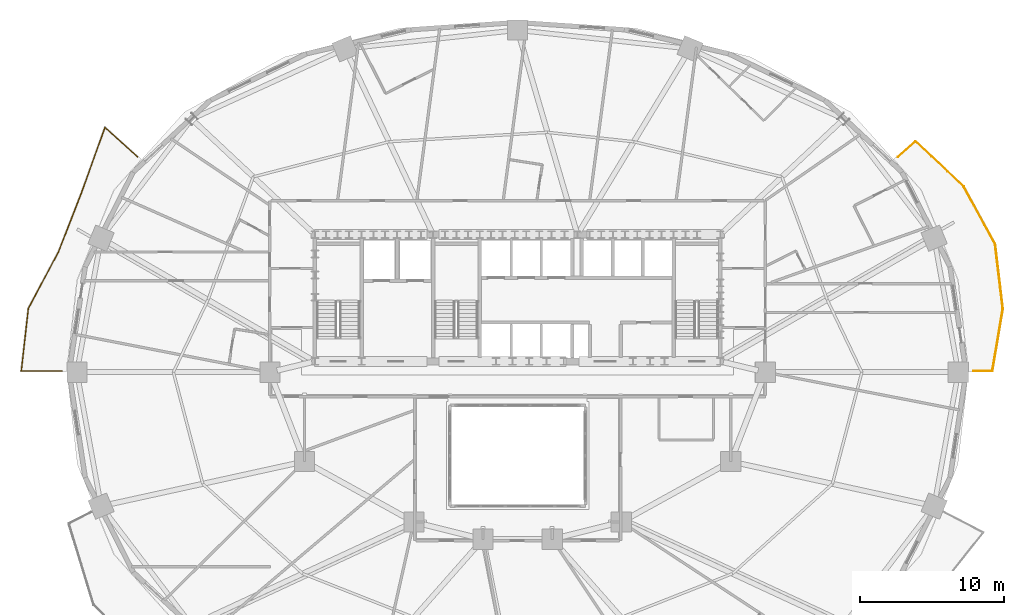
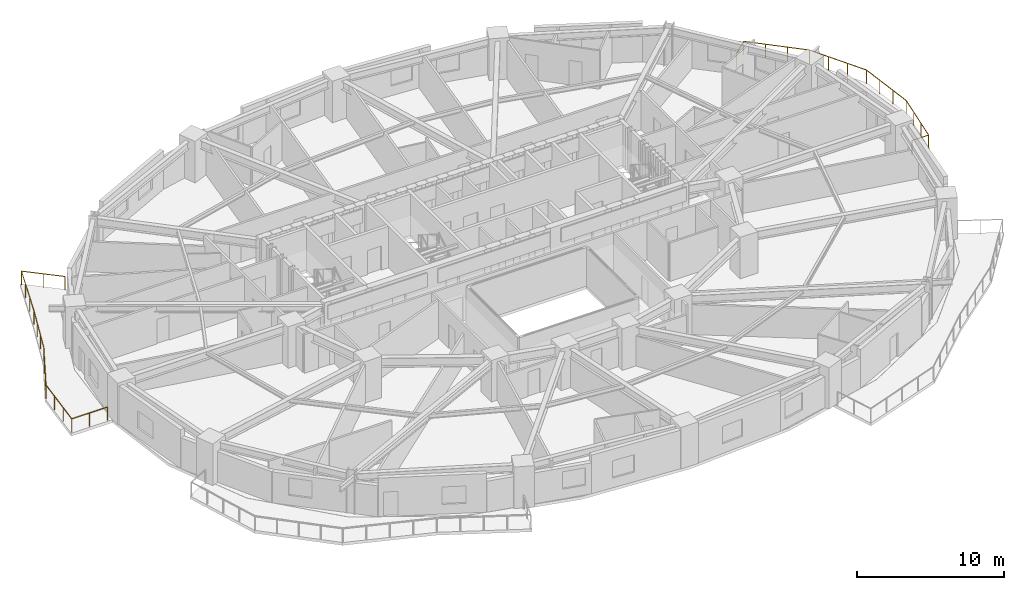
# One storey, part 17 of 17: 2 railings.
"""IFC4 building model written with IfcOpenShell, lengths in metres."""

import ifcopenshell
import ifcopenshell.guid

model = None  # the IFC model being written
_history = None  # IfcOwnerHistory: only IFC2X3 demands one
_inside = {}  # id of a spatial element -> (the spatial element, [elements in it])
_under = {}  # id of a project, library or spatial element -> (it, [spatial elements below it])
_declared = {}  # id of a project -> (the project, [libraries it declares])
_typed = {}  # id of a type object -> (the type object, [elements of that type])
_made_of = {}  # id of a material, layer set ... -> (it, [elements and type objects made of it])


def new_model(schema):
    """Start an empty IFC model of exactly this schema.

    Asked for "IFC4X3", IfcOpenShell would pick the latest addendum, in which some entities
    have other attributes; the version numbers below select the first issue.
    IFC2X3 requires an IfcOwnerHistory on every rooted entity: one is made here for all.
    """
    global model, _history
    if schema == "IFC4X3":
        model = ifcopenshell.file(schema_version=(4, 3, 0, 0))
    else:
        model = ifcopenshell.file(schema=schema)
    _inside.clear()
    _under.clear()
    _declared.clear()
    _typed.clear()
    _made_of.clear()
    _history = None
    if model.schema == "IFC2X3":
        org = make("IfcOrganization", Name="unknown")
        user = make(
            "IfcPersonAndOrganization",
            ThePerson=make("IfcPerson", FamilyName="unknown"),
            TheOrganization=org,
        )
        app = make(
            "IfcApplication",
            ApplicationDeveloper=org,
            Version="unknown",
            ApplicationFullName="unknown",
            ApplicationIdentifier="unknown",
        )
        _history = make(
            "IfcOwnerHistory",
            OwningUser=user,
            OwningApplication=app,
            ChangeAction="ADDED",
            CreationDate=0,
        )
    return model


def make(cls, **values):
    """One entity of the class cls with the attributes given. An attribute that is None is left unset."""
    return model.create_entity(
        cls, **{name: value for name, value in values.items() if value is not None}
    )


def rooted(cls, **values):
    """An entity with a GlobalId (a new one), such as an element, a storey or a relation."""
    return make(cls, GlobalId=ifcopenshell.guid.new(), OwnerHistory=_history, **values)


def si_unit(unit_type, name, prefix=None):
    """IfcSIUnit, for example si_unit("LENGTHUNIT", "METRE", prefix="MILLI")."""
    return make("IfcSIUnit", UnitType=unit_type, Prefix=prefix, Name=name)


def assignment(units):
    """IfcUnitAssignment: the units of a project."""
    return None if units is None else make("IfcUnitAssignment", Units=units)


def point(xyz):
    """IfcCartesianPoint."""
    return None if xyz is None else make("IfcCartesianPoint", Coordinates=xyz)


def direction(xyz):
    """IfcDirection."""
    return None if xyz is None else make("IfcDirection", DirectionRatios=xyz)


def frame(location, z_axis=None, x_axis=None):
    """IfcAxis2Placement3D, a coordinate frame: its origin and axes. An axis left out is left unset."""
    return make(
        "IfcAxis2Placement3D",
        Location=point(location),
        Axis=direction(z_axis),
        RefDirection=direction(x_axis),
    )


def frame_2d(location, x_axis=None):
    """IfcAxis2Placement2D, a coordinate frame in the plane: its origin and x axis."""
    return make(
        "IfcAxis2Placement2D", Location=point(location), RefDirection=direction(x_axis)
    )


def origin():
    """The frame at (0, 0, 0) with its axes left unset."""
    return frame((0.0, 0.0, 0.0))


def origin_2d():
    """The frame at (0, 0) in the plane with its x axis left unset."""
    return frame_2d((0.0, 0.0))


def place(relative_to, where):
    """IfcLocalPlacement: puts the frame where relative to a parent placement (None: the world)."""
    return make(
        "IfcLocalPlacement", PlacementRelTo=relative_to, RelativePlacement=where
    )


def context(
    kind, dimensions, precision=None, world=None, true_north=None, identifier=None
):
    """IfcGeometricRepresentationContext, for example the 3D "Model" context."""
    return make(
        "IfcGeometricRepresentationContext",
        ContextIdentifier=identifier,
        ContextType=kind,
        CoordinateSpaceDimension=dimensions,
        Precision=precision,
        WorldCoordinateSystem=world,
        TrueNorth=true_north,
    )


def subcontext(parent, identifier, kind, view, scale=None):
    """IfcGeometricRepresentationSubContext, for example "Body" below "Model"."""
    return make(
        "IfcGeometricRepresentationSubContext",
        ContextIdentifier=identifier,
        ContextType=kind,
        ParentContext=parent,
        TargetScale=scale,
        TargetView=view,
    )


def project(units=None, contexts=None):
    """IfcProject with its units and contexts."""
    return rooted(
        "IfcProject",
        Name="project",
        RepresentationContexts=contexts,
        UnitsInContext=assignment(units),
    )


def spatial(cls, under=None, at=None, **own):
    """A site, building, storey or space (cls), placed at a placement, below another one or the project."""
    s = rooted(cls, ObjectPlacement=at, **own)
    if under is not None:
        _under.setdefault(under.id(), (under, []))[1].append(s)
    return s


def profile(cls, at=None, kind="AREA", **sizes):
    """A parametric profile (cls). Its sizes go by their IFC names, for example OverallWidth=200.0."""
    return make(cls, ProfileType=kind, Position=at, **sizes)


def rectangle(**sizes):
    """IfcRectangleProfileDef."""
    return profile("IfcRectangleProfileDef", **sizes)


def extrude(swept, where, along, depth):
    """IfcExtrudedAreaSolid: the profile swept, set in the frame where, extruded along a direction by depth."""
    return make(
        "IfcExtrudedAreaSolid",
        SweptArea=swept,
        Position=where,
        ExtrudedDirection=direction(along),
        Depth=depth,
    )


def shape(context_of_items, identifier, shape_type, items):
    """IfcShapeRepresentation: the items that make up one representation, for example the "Body"."""
    return make(
        "IfcShapeRepresentation",
        ContextOfItems=context_of_items,
        RepresentationIdentifier=identifier,
        RepresentationType=shape_type,
        Items=items,
    )


def material(Name=None, Category=None):
    """IfcMaterial."""
    return make("IfcMaterial", Name=Name, Category=Category)


def made_of(thing, what):
    """Note that an element or type object is made of a material, layer set ...; save() writes the relation."""
    if what is not None:
        _made_of.setdefault(what.id(), (what, []))[1].append(thing)
    return thing


def type_object(cls, material=None, **own):
    """A type object (cls), such as IfcWallType, which elements share."""
    return made_of(rooted(cls, **own), material)


def element(
    cls,
    number,
    at=None,
    inside=None,
    cuts=None,
    type_object=None,
    material=None,
    context=None,
    identifier="Body",
    shape_type=None,
    held_by="IfcProductDefinitionShape",
    body=None,
    shapes=None,
    **own,
):
    """One element of the class cls, such as IfcWall. Its Tag is "e" and its number.

    at: its placement. inside: the storey or other place that contains it. cuts: it is an
    opening in that element (IfcRelVoidsElement). A single representation is given by context,
    identifier, shape_type and body (its items); several are given by shapes. held_by: the class
    of the entity that holds the representations. save() writes the other relations.
    """
    e = rooted(cls, Tag="e%d" % number, ObjectPlacement=at, **own)
    if body is not None:
        shapes = [shape(context, identifier, shape_type, body)]
    if shapes is not None:
        e.Representation = make(held_by, Representations=shapes)
    if inside is not None:
        _inside.setdefault(inside.id(), (inside, []))[1].append(e)
    if cuts is not None:
        rooted(
            "IfcRelVoidsElement", RelatingBuildingElement=cuts, RelatedOpeningElement=e
        )
    if type_object is not None:
        _typed.setdefault(type_object.id(), (type_object, []))[1].append(e)
    return made_of(e, material)


def aggregate(whole, parts):
    """IfcRelAggregates: a whole, such as a stair, and the parts it consists of."""
    return rooted("IfcRelAggregates", RelatingObject=whole, RelatedObjects=parts)


def save(model, path):
    """Write the relations noted so far, then the file.

    IfcRelAggregates (storeys below a building ...), IfcRelContainedInSpatialStructure (elements
    in a storey), IfcRelDefinesByType, IfcRelAssociatesMaterial and IfcRelDeclares: one each for
    every whole, place, type object, material and project.
    """
    for whole, parts in _under.values():
        aggregate(whole, parts)
    for where, things in _inside.values():
        rooted(
            "IfcRelContainedInSpatialStructure",
            RelatedElements=things,
            RelatingStructure=where,
        )
    for kind, things in _typed.values():
        rooted("IfcRelDefinesByType", RelatedObjects=things, RelatingType=kind)
    for what, things in _made_of.values():
        rooted("IfcRelAssociatesMaterial", RelatedObjects=things, RelatingMaterial=what)
    for by, libraries in _declared.values():
        rooted("IfcRelDeclares", RelatingContext=by, RelatedDefinitions=libraries)
    model.write(path)


model = new_model("IFC4")

# Units and contexts
model_context = context("Model", 3, precision=1e-05, world=origin(), true_north=direction((0.0, 1.0)))
body_context = subcontext(model_context, "Body", "Model", "MODEL_VIEW")
ifc_project = project(units=[si_unit("LENGTHUNIT", "METRE"), si_unit("AREAUNIT", "SQUARE_METRE"), si_unit("VOLUMEUNIT", "CUBIC_METRE"), si_unit("PLANEANGLEUNIT", "RADIAN"), si_unit("MASSUNIT", "GRAM", prefix="KILO")], contexts=[model_context])

# Site, building, storey
site_placement = place(None, origin())
site = spatial("IfcSite", under=ifc_project, at=site_placement, CompositionType="ELEMENT")
building_placement = place(site_placement, origin())
building = spatial("IfcBuilding", under=site, at=building_placement, Name="Haldorwick Loom Tower", CompositionType="ELEMENT")
storey_placement = place(building_placement, frame((0.0, 0.0, 55.050048828125)))
storey = spatial("IfcBuildingStorey", under=building, at=storey_placement, Name="L14", CompositionType="ELEMENT", Elevation=55.050048828125)

# Railings
ifc_material = material(Name="Galvanized Steel CSA G40.21 350W", Category="steel")
railing_type = type_object("IfcRailingType", Name="ARC-RLG-BAL115", PredefinedType="BALUSTRADE", material=ifc_material)
railing_1_placement = place(storey_placement, frame((4.36083984375, 26.080078125, 0.0)))
element("IfcRailing", 1, at=railing_1_placement, inside=storey, type_object=railing_type, Name="L14 Outdoor Terrace Guardrail SLB-L14-BAL_WNW-1", PredefinedType="BALUSTRADE", context=body_context, shape_type="SweptSolid", body=[
    extrude(rectangle(XDim=0.048095703125, YDim=0.048095703125, at=origin_2d()), frame((0.0, 0.0, 1.1259765625), z_axis=(-1.0, 0.0, 0.0), x_axis=(0.0, -1.0, 0.0)), (0.0, 0.0, 1.0), 2.8173828125),
    extrude(rectangle(XDim=0.048095703125, YDim=0.048095703125, at=origin_2d()), frame((-2.8173828125, 0.0, 1.1259765625), z_axis=(0.112220668286, 0.993683310522, 0.0), x_axis=(-0.993683310522, 0.112220668286, 0.0)), (0.0, 0.0, 1.0), 4.372802734375),
    extrude(rectangle(XDim=0.048095703125, YDim=0.048095703125, at=origin_2d()), frame((-2.32666015625, 4.34521484375, 1.1259765625), z_axis=(0.470166455798, 0.882577760791, 0.0), x_axis=(-0.882577760791, 0.470166455798, 0.0)), (0.0, 0.0, 1.0), 4.447021484375),
    extrude(rectangle(XDim=0.048095703125, YDim=0.048095703125, at=origin_2d()), frame((-0.23583984375, 8.27001953125, 1.1259765625), z_axis=(0.415759760268, 0.909474475586, 0.0), x_axis=(-0.909474475586, 0.415759760268, 0.0)), (0.0, 0.0, 1.0), 0.00927734375),
    extrude(rectangle(XDim=0.048095703125, YDim=0.048095703125, at=origin_2d()), frame((-0.23193359375, 8.278564453125, 1.1259765625), z_axis=(0.36271610955, 0.93189968552, 0.0), x_axis=(-0.93189968552, 0.36271610955, 0.0)), (0.0, 0.0, 1.0), 4.409423828125),
    extrude(rectangle(XDim=0.048095703125, YDim=0.048095703125, at=origin_2d()), frame((1.367431640625, 12.3876953125, 1.1259765625), z_axis=(0.351123441588, 0.936329177569, 0.0), x_axis=(-0.936329177569, 0.351123441588, 0.0)), (0.0, 0.0, 1.0), 0.002197265625),
    extrude(rectangle(XDim=0.048095703125, YDim=0.048095703125, at=origin_2d()), frame((1.3681640625, 12.3896484375, 1.1259765625), z_axis=(0.337840495156, 0.941203378571, 0.0), x_axis=(-0.941203378571, 0.337840495156, 0.0)), (0.0, 0.0, 1.0), 4.800537109375),
    extrude(rectangle(XDim=0.048095703125, YDim=0.048095703125, at=origin_2d()), frame((2.989990234375, 16.907958984375, 1.1259765625), z_axis=(0.74176658268, -0.670658137071, 0.0), x_axis=(0.670658137071, 0.74176658268, 0.0)), (0.0, 0.0, 1.0), 3.03173828125),
    extrude(rectangle(XDim=0.0419921875, YDim=0.0419921875, at=origin_2d()), origin(), (0.0, 0.0, 1.0), 1.101806640625),
    extrude(rectangle(XDim=0.0419921875, YDim=0.0419921875, at=origin_2d()), frame((-1.40869140625, 0.0, 0.0)), (0.0, 0.0, 1.0), 1.101806640625),
    extrude(rectangle(XDim=0.0419921875, YDim=0.0419921875, at=origin_2d()), frame((-2.8173828125, 0.0, 0.0)), (0.0, 0.0, 1.0), 1.101806640625),
    extrude(rectangle(XDim=0.0419921875, YDim=0.0419921875, at=origin_2d()), frame((-2.65380859375, 1.448486328125, 0.0)), (0.0, 0.0, 1.0), 1.101806640625),
    extrude(rectangle(XDim=0.0419921875, YDim=0.0419921875, at=origin_2d()), frame((-2.490234375, 2.896728515625, 0.0)), (0.0, 0.0, 1.0), 1.101806640625),
    extrude(rectangle(XDim=0.0419921875, YDim=0.0419921875, at=origin_2d()), frame((-2.32666015625, 4.34521484375, 0.0)), (0.0, 0.0, 1.0), 1.101806640625),
    extrude(rectangle(XDim=0.0419921875, YDim=0.0419921875, at=origin_2d()), frame((-1.629638671875, 5.653564453125, 0.0)), (0.0, 0.0, 1.0), 1.101806640625),
    extrude(rectangle(XDim=0.0419921875, YDim=0.0419921875, at=origin_2d()), frame((-0.932861328125, 6.961669921875, 0.0)), (0.0, 0.0, 1.0), 1.101806640625),
    extrude(rectangle(XDim=0.0419921875, YDim=0.0419921875, at=origin_2d()), frame((-0.23583984375, 8.27001953125, 0.0)), (0.0, 0.0, 1.0), 1.101806640625),
    extrude(rectangle(XDim=0.0419921875, YDim=0.0419921875, at=origin_2d()), frame((0.30126953125, 9.648193359375, 0.0)), (0.0, 0.0, 1.0), 1.101806640625),
    extrude(rectangle(XDim=0.0419921875, YDim=0.0419921875, at=origin_2d()), frame((0.834228515625, 11.01806640625, 0.0)), (0.0, 0.0, 1.0), 1.101806640625),
    extrude(rectangle(XDim=0.0419921875, YDim=0.0419921875, at=origin_2d()), frame((1.367431640625, 12.3876953125, 0.0)), (0.0, 0.0, 1.0), 1.101806640625),
    extrude(rectangle(XDim=0.0419921875, YDim=0.0419921875, at=origin_2d()), frame((1.90869140625, 13.895751953125, 0.0)), (0.0, 0.0, 1.0), 1.101806640625),
    extrude(rectangle(XDim=0.0419921875, YDim=0.0419921875, at=origin_2d()), frame((2.449462890625, 15.40185546875, 0.0)), (0.0, 0.0, 1.0), 1.101806640625),
    extrude(rectangle(XDim=0.0419921875, YDim=0.0419921875, at=origin_2d()), frame((2.989990234375, 16.907958984375, 0.0)), (0.0, 0.0, 1.0), 1.101806640625),
    extrude(rectangle(XDim=0.0419921875, YDim=0.0419921875, at=origin_2d()), frame((4.1142578125, 15.891357421875, 0.0)), (0.0, 0.0, 1.0), 1.101806640625),
    extrude(rectangle(XDim=0.0419921875, YDim=0.0419921875, at=origin_2d()), frame((5.23876953125, 14.874755859375, 0.0)), (0.0, 0.0, 1.0), 1.101806640625),
])
railing_2_placement = place(storey_placement, frame((62.4033203125, 40.95166015625, 0.0)))
element("IfcRailing", 2, at=railing_2_placement, inside=storey, type_object=railing_type, Name="L14 Outdoor Terrace Guardrail SLB-L14-BAL_ENE-1", PredefinedType="BALUSTRADE", context=body_context, shape_type="SweptSolid", body=[
    extrude(rectangle(XDim=0.048095703125, YDim=0.048095703125, at=origin_2d()), frame((0.0, 0.0, 1.1259765625), z_axis=(0.748217378369, 0.663453656789, 0.0), x_axis=(-0.663453656789, 0.748217378369, 0.0)), (0.0, 0.0, 1.0), 1.61572265625),
    extrude(rectangle(XDim=0.048095703125, YDim=0.048095703125, at=origin_2d()), frame((1.208984375, 1.072021484375, 1.1259765625), z_axis=(0.731566348196, -0.681770253228, 0.0), x_axis=(0.681770253228, 0.731566348196, 0.0)), (0.0, 0.0, 1.0), 4.589111328125),
    extrude(rectangle(XDim=0.048095703125, YDim=0.048095703125, at=origin_2d()), frame((4.566162109375, -2.056640625, 1.1259765625), z_axis=(0.478746977459, -0.877952921046, 0.0), x_axis=(0.877952921046, 0.478746977459, 0.0)), (0.0, 0.0, 1.0), 4.554931640625),
    extrude(rectangle(XDim=0.048095703125, YDim=0.048095703125, at=origin_2d()), frame((6.746826171875, -6.0556640625, 1.1259765625), z_axis=(0.118178746417, -0.992992338286, 0.0), x_axis=(0.992992338286, 0.118178746417, 0.0)), (0.0, 0.0, 1.0), 4.532470703125),
    extrude(rectangle(XDim=0.048095703125, YDim=0.048095703125, at=origin_2d()), frame((7.282470703125, -10.556396484375, 1.1259765625), z_axis=(-0.167012646777, -0.985954753433, 0.0), x_axis=(0.985954753433, -0.167012646777, 0.0)), (0.0, 0.0, 1.0), 4.376708984375),
    extrude(rectangle(XDim=0.048095703125, YDim=0.048095703125, at=origin_2d()), frame((6.551513671875, -14.87158203125, 1.1259765625), z_axis=(-1.0, 0.0, 0.0), x_axis=(0.0, -1.0, 0.0)), (0.0, 0.0, 1.0), 1.315673828125),
    extrude(rectangle(XDim=0.0419921875, YDim=0.0419921875, at=origin_2d()), origin(), (0.0, 0.0, 1.0), 1.101806640625),
    extrude(rectangle(XDim=0.0419921875, YDim=0.0419921875, at=origin_2d()), frame((1.208984375, 1.072021484375, 0.0)), (0.0, 0.0, 1.0), 1.101806640625),
    extrude(rectangle(XDim=0.0419921875, YDim=0.0419921875, at=origin_2d()), frame((2.328125, 0.029052734375, 0.0)), (0.0, 0.0, 1.0), 1.101806640625),
    extrude(rectangle(XDim=0.0419921875, YDim=0.0419921875, at=origin_2d()), frame((3.447021484375, -1.013671875, 0.0)), (0.0, 0.0, 1.0), 1.101806640625),
    extrude(rectangle(XDim=0.0419921875, YDim=0.0419921875, at=origin_2d()), frame((4.566162109375, -2.056640625, 0.0)), (0.0, 0.0, 1.0), 1.101806640625),
    extrude(rectangle(XDim=0.0419921875, YDim=0.0419921875, at=origin_2d()), frame((5.29296875, -3.3896484375, 0.0)), (0.0, 0.0, 1.0), 1.101806640625),
    extrude(rectangle(XDim=0.0419921875, YDim=0.0419921875, at=origin_2d()), frame((6.02001953125, -4.72265625, 0.0)), (0.0, 0.0, 1.0), 1.101806640625),
    extrude(rectangle(XDim=0.0419921875, YDim=0.0419921875, at=origin_2d()), frame((6.746826171875, -6.0556640625, 0.0)), (0.0, 0.0, 1.0), 1.101806640625),
    extrude(rectangle(XDim=0.0419921875, YDim=0.0419921875, at=origin_2d()), frame((6.92529296875, -7.555908203125, 0.0)), (0.0, 0.0, 1.0), 1.101806640625),
    extrude(rectangle(XDim=0.0419921875, YDim=0.0419921875, at=origin_2d()), frame((7.10400390625, -9.05615234375, 0.0)), (0.0, 0.0, 1.0), 1.101806640625),
    extrude(rectangle(XDim=0.0419921875, YDim=0.0419921875, at=origin_2d()), frame((7.282470703125, -10.556396484375, 0.0)), (0.0, 0.0, 1.0), 1.101806640625),
    extrude(rectangle(XDim=0.0419921875, YDim=0.0419921875, at=origin_2d()), frame((7.038818359375, -11.994873046875, 0.0)), (0.0, 0.0, 1.0), 1.101806640625),
    extrude(rectangle(XDim=0.0419921875, YDim=0.0419921875, at=origin_2d()), frame((6.795166015625, -13.43310546875, 0.0)), (0.0, 0.0, 1.0), 1.101806640625),
    extrude(rectangle(XDim=0.0419921875, YDim=0.0419921875, at=origin_2d()), frame((6.551513671875, -14.87158203125, 0.0)), (0.0, 0.0, 1.0), 1.101806640625),
    extrude(rectangle(XDim=0.0419921875, YDim=0.0419921875, at=origin_2d()), frame((5.23583984375, -14.87158203125, 0.0)), (0.0, 0.0, 1.0), 1.101806640625),
])

save(model, "model.ifc")
